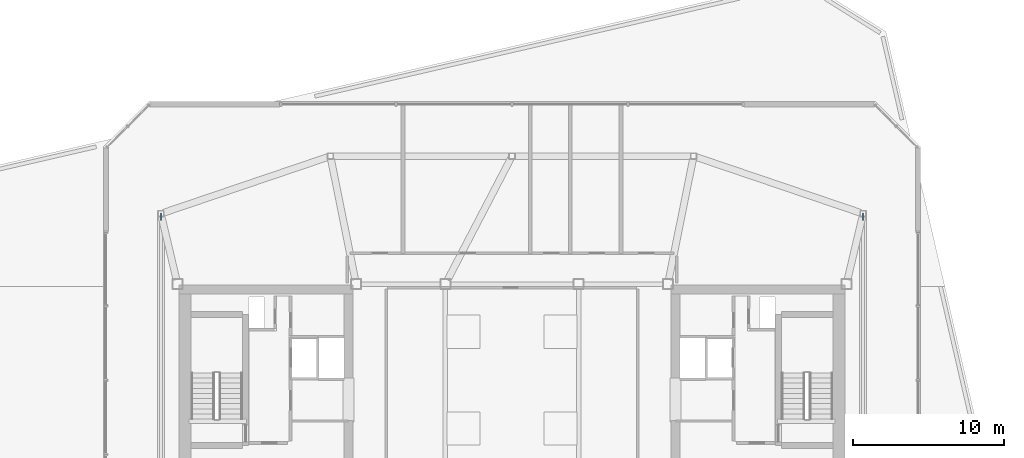
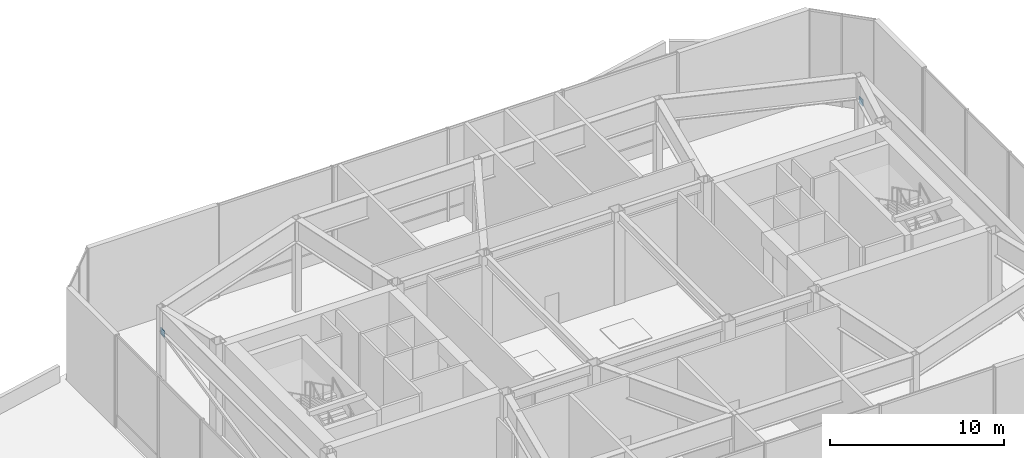
# One storey, part 24 of 25: 2 discrete accessories.
"""IFC4 building model written with IfcOpenShell, lengths in metres."""

from ifc_helpers import new_model, si_unit, direction, frame, origin, origin_2d, place, context, subcontext, project, spatial, rectangle, extrude, material, type_object, element, save


model = new_model("IFC4")

# Units and contexts
model_context = context("Model", 3, precision=1e-05, world=origin(), true_north=direction((0.0, 1.0)))
body_context = subcontext(model_context, "Body", "Model", "MODEL_VIEW")
ifc_project = project(units=[si_unit("LENGTHUNIT", "METRE"), si_unit("AREAUNIT", "SQUARE_METRE"), si_unit("VOLUMEUNIT", "CUBIC_METRE"), si_unit("PLANEANGLEUNIT", "RADIAN"), si_unit("MASSUNIT", "GRAM", prefix="KILO")], contexts=[model_context])

# Site, building, storey
site_placement = place(None, origin())
site = spatial("IfcSite", under=ifc_project, at=site_placement, CompositionType="ELEMENT")
building_placement = place(site_placement, origin())
building = spatial("IfcBuilding", under=site, at=building_placement, Name="Tavrogorsk Clinical Tower", CompositionType="ELEMENT")
storey_placement = place(building_placement, frame((0.0, 0.0, 333.0)))
storey = spatial("IfcBuildingStorey", under=building, at=storey_placement, Name="L78", CompositionType="ELEMENT", Elevation=333.0)

# Discrete accessories
ifc_material = material(Name="Structural steel S440", Category="steel")
discrete_accessory_type = type_object("IfcDiscreteAccessoryType", Name="GussetPlateBracket_25", PredefinedType="BRACKET", material=ifc_material)
for number, where, z_axis, x_axis, name in (
    (1, (-23.199951171875, 10.794189453125, 4.52783203125), (0.0, 0.0, 1.0), (0.0, 1.0, 0.0), "L78 Brace Gusset Plate CRNBR-L78-1-B"),
    (2, (23.199951171875, 10.794189453125, 4.52783203125), (0.0, 0.0, 1.0), (0.0, 1.0, 0.0), "L78 Brace Gusset Plate CRNBR-L78-2-B"),
):
    element("IfcDiscreteAccessory", number, at=place(storey_placement, frame(where, z_axis=z_axis, x_axis=x_axis)), inside=storey, type_object=discrete_accessory_type, Name=name, PredefinedType="BRACKET", context=body_context, shape_type="SweptSolid", body=[
        extrude(rectangle(XDim=0.4599609375, YDim=0.0400390625, at=origin_2d()), origin(), (0.0, 0.0, 1.0), 0.4599609375),
    ])

save(model, "model.ifc")
